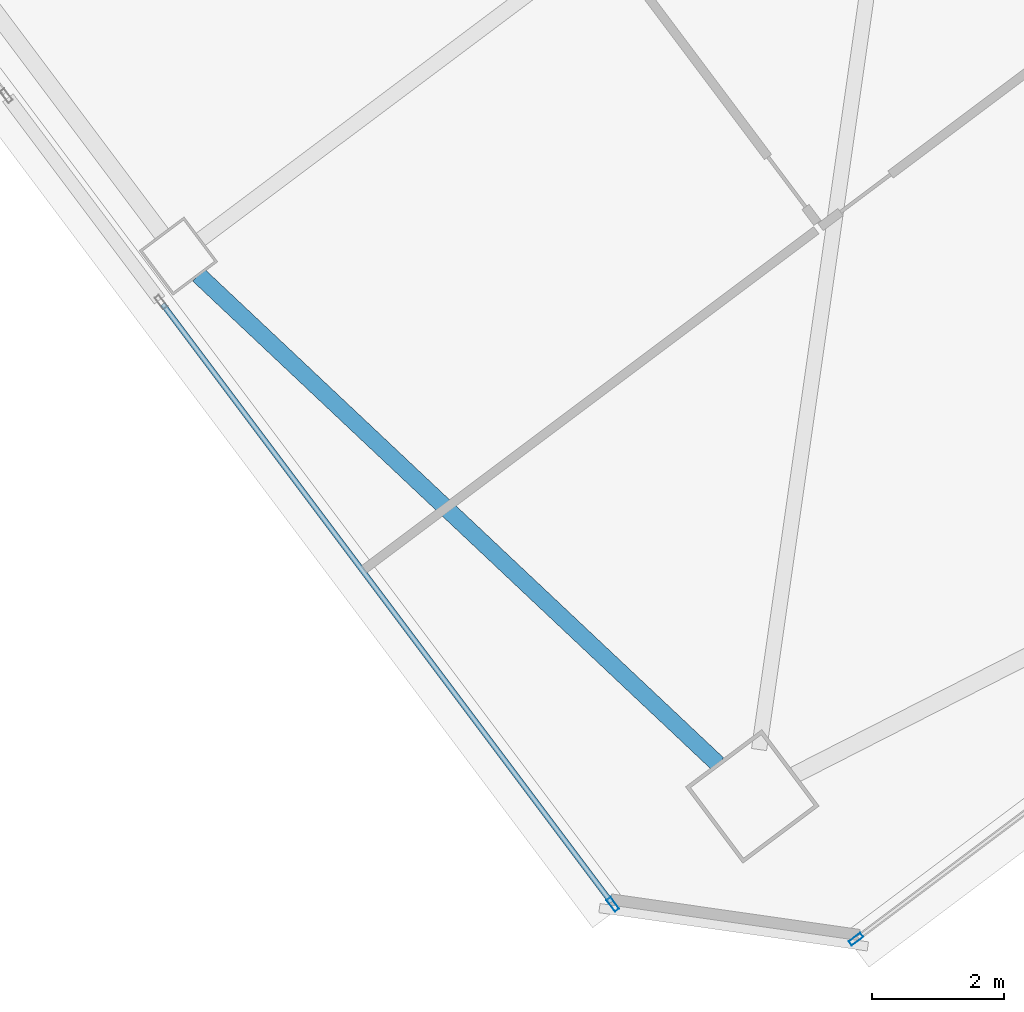
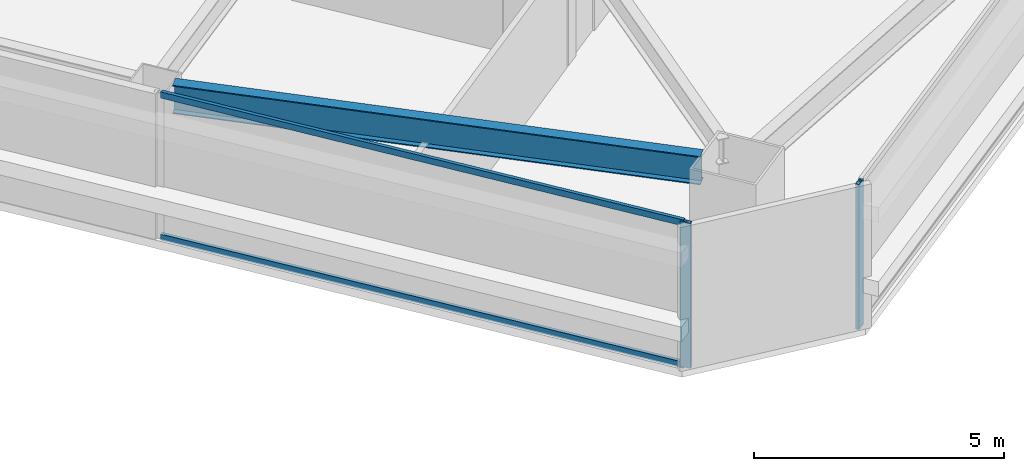
# One storey, part 17 of 46: 4 members, 1 beam, 2 elements without a shape of their own.
"""IFC4 building model written with IfcOpenShell, lengths in metres."""

from ifc_helpers import new_model, si_unit, direction, frame, origin, origin_2d, place, context, subcontext, project, spatial, hollow_rectangle, i_section, extrude, material, material_profile, profile_set, type_object, element, aggregate, save


model = new_model("IFC4")

# Units and contexts
model_context = context("Model", 3, precision=1e-05, world=origin(), true_north=direction((0.0, 1.0)))
body_context = subcontext(model_context, "Body", "Model", "MODEL_VIEW")
ifc_project = project(units=[si_unit("LENGTHUNIT", "METRE"), si_unit("AREAUNIT", "SQUARE_METRE"), si_unit("VOLUMEUNIT", "CUBIC_METRE"), si_unit("PLANEANGLEUNIT", "RADIAN"), si_unit("MASSUNIT", "GRAM", prefix="KILO")], contexts=[model_context])

# Site, building, storey
site_placement = place(None, origin())
site = spatial("IfcSite", under=ifc_project, at=site_placement, CompositionType="ELEMENT")
building_placement = place(site_placement, origin())
building = spatial("IfcBuilding", under=site, at=building_placement, Name="Tashvorn Skyway Center", CompositionType="ELEMENT")
storey_placement = place(building_placement, frame((0.0, 0.0, 99.14990234375)))
storey = spatial("IfcBuildingStorey", under=building, at=storey_placement, Name="L26", CompositionType="ELEMENT", Elevation=99.14990234375)

# Beam
ifc_material_1 = material(Name="Steel ASTM A992 Grade 50", Category="steel")
ifc_material_profile_1 = material_profile(ifc_material_1, i_section(OverallWidth=0.256103515625, OverallDepth=0.693115234375, WebThickness=0.014404296875, FlangeThickness=0.023681640625, at=origin_2d()), Name="W27X114")
ifc_profile_set_1 = profile_set([ifc_material_profile_1], Name="Steel ASTM A992 Grade 50")
beam_type = type_object("IfcBeamType", Name="BM-SPANDREL-W27X114", PredefinedType="SPANDREL", material=ifc_profile_set_1)
beam_placement = place(storey_placement, frame((102.145751953125, 15.842041015625, 3.003662109375), z_axis=(0.728086883893, -0.685484857238, 0.0), x_axis=(0.685484857238, 0.728086883893, 0.0)))
element("IfcBeam", 1, at=beam_placement, inside=storey, type_object=beam_type, Name="Tower 2 L26 Spandrel Beam 12", PredefinedType="SPANDREL", context=body_context, shape_type="SweptSolid", body=[
    extrude(i_section(OverallWidth=0.256103515625, OverallDepth=0.693115234375, WebThickness=0.014404296875, FlangeThickness=0.023681640625, at=origin_2d()), origin(), (0.0, 0.0, 1.0), 10.8369140625),
])

# Curtain wall, member
ifc_material_2 = material(Name="Thermally broken bronze-anodized aluminium 6063-T6", Category="aluminium")
curtain_wall_type = type_object("IfcCurtainWallType", Name="CW-CW-Z2", PredefinedType="NOTDEFINED", material=ifc_material_2)
curtain_wall_1_placement = place(storey_placement, origin())
curtain_wall_1 = element("IfcCurtainWall", 2, at=curtain_wall_1_placement, inside=storey, type_object=curtain_wall_type, Name="Tower 2 L26 South Curtain Wall R", PredefinedType="NOTDEFINED")
ifc_material_profile_2 = material_profile(ifc_material_2, hollow_rectangle(XDim=0.080078125, YDim=0.219970703125, WallThickness=0.0048828125, at=origin_2d()), Name="ALU-MULL-80x220")
ifc_profile_set_2 = profile_set([ifc_material_profile_2], Name="Thermally broken bronze-anodized aluminium 6063-T6")
member_type_1 = type_object("IfcMemberType", Name="CWM-CW-Z2", PredefinedType="MULLION", material=ifc_profile_set_2)
member_1_placement = place(storey_placement, frame((112.135986328125, 5.751953125, 0.0), z_axis=(0.0, 0.0, 1.0), x_axis=(0.600000000002, -0.799999999998, 0.0)))
member_1 = element("IfcMember", 3, at=member_1_placement, type_object=member_type_1, Name="CW-Z2 mullion 2", PredefinedType="MULLION", context=body_context, shape_type="SweptSolid", body=[
    extrude(hollow_rectangle(XDim=0.080078125, YDim=0.219970703125, WallThickness=0.0048828125, at=origin_2d()), origin(), (0.0, 0.0, 1.0), 3.550048828125),
])
aggregate(curtain_wall_1, [member_1])

# Curtain wall, members
curtain_wall_2_placement = place(storey_placement, origin())
curtain_wall_2 = element("IfcCurtainWall", 4, at=curtain_wall_2_placement, inside=storey, type_object=curtain_wall_type, Name="Tower 2 L26 West Unitised Curtain Wall Glazing Group 1", PredefinedType="NOTDEFINED")
member_2_placement = place(storey_placement, frame((108.43994140625, 6.280029296875, 0.0), z_axis=(0.0, 0.0, 1.0), x_axis=(-0.799999999998, -0.600000000002, 0.0)))
member_2 = element("IfcMember", 5, at=member_2_placement, type_object=member_type_1, Name="CW-Z2 mullion 1", PredefinedType="MULLION", context=body_context, shape_type="SweptSolid", body=[
    extrude(hollow_rectangle(XDim=0.080078125, YDim=0.219970703125, WallThickness=0.0048828125, at=origin_2d()), origin(), (0.0, 0.0, 1.0), 3.550048828125),
])
ifc_material_profile_3 = material_profile(ifc_material_2, hollow_rectangle(XDim=0.080078125, YDim=0.14990234375, WallThickness=0.00439453125, at=origin_2d()), Name="ALU-TRAN-80x150")
ifc_profile_set_3 = profile_set([ifc_material_profile_3], Name="Thermally broken bronze-anodized aluminium 6063-T6")
member_type_2 = type_object("IfcMemberType", Name="CWT-CW-Z2", PredefinedType="USERDEFINED", material=ifc_profile_set_3)
member_3_placement = place(storey_placement, frame((108.416015625, 6.31201171875, 0.0400390625), z_axis=(-0.6, 0.8, 0.0), x_axis=(-0.8, -0.6, 0.0)))
member_3 = element("IfcMember", 6, at=member_3_placement, type_object=member_type_2, Name="CW-Z2 transom 1.1", ObjectType="TRANSOM", PredefinedType="USERDEFINED", context=body_context, shape_type="SweptSolid", body=[
    extrude(hollow_rectangle(XDim=0.080078125, YDim=0.14990234375, WallThickness=0.00439453125, at=origin_2d()), origin(), (0.0, 0.0, 1.0), 11.35986328125),
])
member_4_placement = place(storey_placement, frame((108.416015625, 6.31201171875, 3.510009765625), z_axis=(-0.6, 0.8, 0.0), x_axis=(-0.8, -0.6, 0.0)))
member_4 = element("IfcMember", 7, at=member_4_placement, type_object=member_type_2, Name="CW-Z2 transom 1.2", ObjectType="TRANSOM", PredefinedType="USERDEFINED", context=body_context, shape_type="SweptSolid", body=[
    extrude(hollow_rectangle(XDim=0.080078125, YDim=0.14990234375, WallThickness=0.00439453125, at=origin_2d()), origin(), (0.0, 0.0, 1.0), 11.35986328125),
])
aggregate(curtain_wall_2, [member_2, member_3, member_4])

save(model, "model.ifc")
